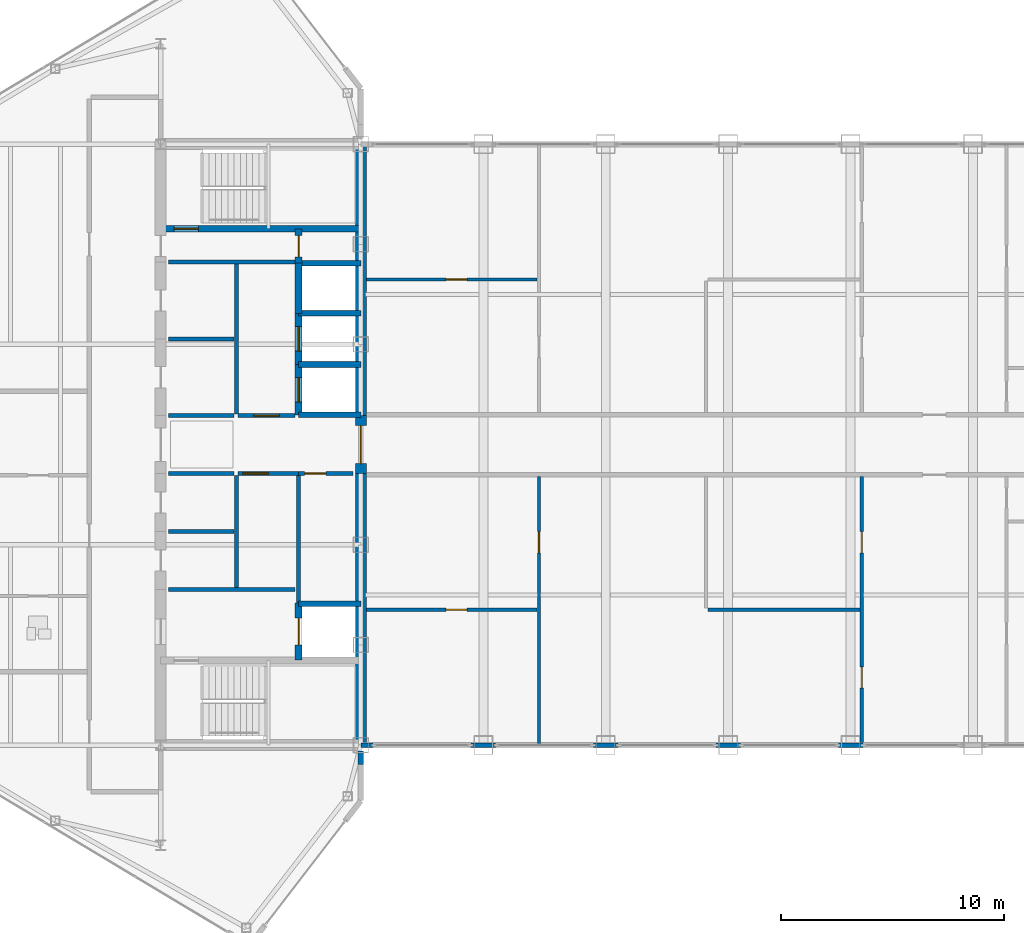
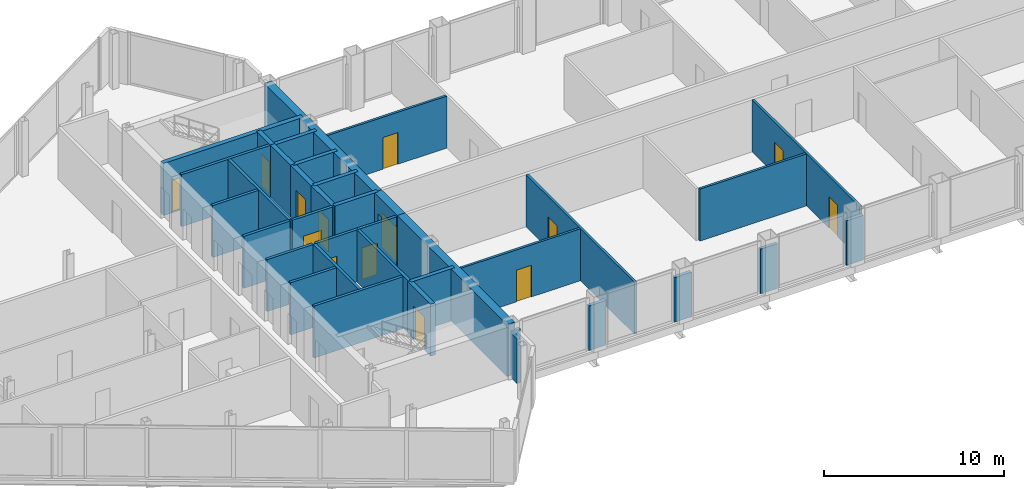
# One storey, part 22 of 29: 37 walls, 14 doors, 14 openings.
"""IFC4 building model written with IfcOpenShell, lengths in metres."""

import ifcopenshell
import ifcopenshell.guid

model = None  # the IFC model being written
_history = None  # IfcOwnerHistory: only IFC2X3 demands one
_inside = {}  # id of a spatial element -> (the spatial element, [elements in it])
_under = {}  # id of a project, library or spatial element -> (it, [spatial elements below it])
_declared = {}  # id of a project -> (the project, [libraries it declares])
_typed = {}  # id of a type object -> (the type object, [elements of that type])
_made_of = {}  # id of a material, layer set ... -> (it, [elements and type objects made of it])


def new_model(schema):
    """Start an empty IFC model of exactly this schema.

    Asked for "IFC4X3", IfcOpenShell would pick the latest addendum, in which some entities
    have other attributes; the version numbers below select the first issue.
    IFC2X3 requires an IfcOwnerHistory on every rooted entity: one is made here for all.
    """
    global model, _history
    if schema == "IFC4X3":
        model = ifcopenshell.file(schema_version=(4, 3, 0, 0))
    else:
        model = ifcopenshell.file(schema=schema)
    _inside.clear()
    _under.clear()
    _declared.clear()
    _typed.clear()
    _made_of.clear()
    _history = None
    if model.schema == "IFC2X3":
        org = make("IfcOrganization", Name="unknown")
        user = make(
            "IfcPersonAndOrganization",
            ThePerson=make("IfcPerson", FamilyName="unknown"),
            TheOrganization=org,
        )
        app = make(
            "IfcApplication",
            ApplicationDeveloper=org,
            Version="unknown",
            ApplicationFullName="unknown",
            ApplicationIdentifier="unknown",
        )
        _history = make(
            "IfcOwnerHistory",
            OwningUser=user,
            OwningApplication=app,
            ChangeAction="ADDED",
            CreationDate=0,
        )
    return model


def make(cls, **values):
    """One entity of the class cls with the attributes given. An attribute that is None is left unset."""
    return model.create_entity(
        cls, **{name: value for name, value in values.items() if value is not None}
    )


def rooted(cls, **values):
    """An entity with a GlobalId (a new one), such as an element, a storey or a relation."""
    return make(cls, GlobalId=ifcopenshell.guid.new(), OwnerHistory=_history, **values)


def si_unit(unit_type, name, prefix=None):
    """IfcSIUnit, for example si_unit("LENGTHUNIT", "METRE", prefix="MILLI")."""
    return make("IfcSIUnit", UnitType=unit_type, Prefix=prefix, Name=name)


def assignment(units):
    """IfcUnitAssignment: the units of a project."""
    return None if units is None else make("IfcUnitAssignment", Units=units)


def point(xyz):
    """IfcCartesianPoint."""
    return None if xyz is None else make("IfcCartesianPoint", Coordinates=xyz)


def direction(xyz):
    """IfcDirection."""
    return None if xyz is None else make("IfcDirection", DirectionRatios=xyz)


def frame(location, z_axis=None, x_axis=None):
    """IfcAxis2Placement3D, a coordinate frame: its origin and axes. An axis left out is left unset."""
    return make(
        "IfcAxis2Placement3D",
        Location=point(location),
        Axis=direction(z_axis),
        RefDirection=direction(x_axis),
    )


def frame_2d(location, x_axis=None):
    """IfcAxis2Placement2D, a coordinate frame in the plane: its origin and x axis."""
    return make(
        "IfcAxis2Placement2D", Location=point(location), RefDirection=direction(x_axis)
    )


def origin():
    """The frame at (0, 0, 0) with its axes left unset."""
    return frame((0.0, 0.0, 0.0))


def place(relative_to, where):
    """IfcLocalPlacement: puts the frame where relative to a parent placement (None: the world)."""
    return make(
        "IfcLocalPlacement", PlacementRelTo=relative_to, RelativePlacement=where
    )


def context(
    kind, dimensions, precision=None, world=None, true_north=None, identifier=None
):
    """IfcGeometricRepresentationContext, for example the 3D "Model" context."""
    return make(
        "IfcGeometricRepresentationContext",
        ContextIdentifier=identifier,
        ContextType=kind,
        CoordinateSpaceDimension=dimensions,
        Precision=precision,
        WorldCoordinateSystem=world,
        TrueNorth=true_north,
    )


def subcontext(parent, identifier, kind, view, scale=None):
    """IfcGeometricRepresentationSubContext, for example "Body" below "Model"."""
    return make(
        "IfcGeometricRepresentationSubContext",
        ContextIdentifier=identifier,
        ContextType=kind,
        ParentContext=parent,
        TargetScale=scale,
        TargetView=view,
    )


def project(units=None, contexts=None):
    """IfcProject with its units and contexts."""
    return rooted(
        "IfcProject",
        Name="project",
        RepresentationContexts=contexts,
        UnitsInContext=assignment(units),
    )


def spatial(cls, under=None, at=None, **own):
    """A site, building, storey or space (cls), placed at a placement, below another one or the project."""
    s = rooted(cls, ObjectPlacement=at, **own)
    if under is not None:
        _under.setdefault(under.id(), (under, []))[1].append(s)
    return s


def profile(cls, at=None, kind="AREA", **sizes):
    """A parametric profile (cls). Its sizes go by their IFC names, for example OverallWidth=200.0."""
    return make(cls, ProfileType=kind, Position=at, **sizes)


def rectangle(**sizes):
    """IfcRectangleProfileDef."""
    return profile("IfcRectangleProfileDef", **sizes)


def extrude(swept, where, along, depth):
    """IfcExtrudedAreaSolid: the profile swept, set in the frame where, extruded along a direction by depth."""
    return make(
        "IfcExtrudedAreaSolid",
        SweptArea=swept,
        Position=where,
        ExtrudedDirection=direction(along),
        Depth=depth,
    )


def shape(context_of_items, identifier, shape_type, items):
    """IfcShapeRepresentation: the items that make up one representation, for example the "Body"."""
    return make(
        "IfcShapeRepresentation",
        ContextOfItems=context_of_items,
        RepresentationIdentifier=identifier,
        RepresentationType=shape_type,
        Items=items,
    )


def source(mapping_origin, context_of_items, identifier, shape_type, items):
    """IfcRepresentationMap: a shape defined once, which mapped items show again and again."""
    return make(
        "IfcRepresentationMap",
        MappingOrigin=mapping_origin,
        MappedRepresentation=shape(context_of_items, identifier, shape_type, items),
    )


def transform(
    local_origin,
    x_axis=None,
    y_axis=None,
    z_axis=None,
    scale=None,
    scale2=None,
    scale3=None,
    uniform=True,
):
    """IfcCartesianTransformationOperator3D, or its non-uniform kind. x_axis, y_axis, z_axis: its Axis1, 2, 3."""
    if uniform:
        return make(
            "IfcCartesianTransformationOperator3D",
            Axis1=direction(x_axis),
            Axis2=direction(y_axis),
            LocalOrigin=point(local_origin),
            Scale=scale,
            Axis3=direction(z_axis),
        )
    return make(
        "IfcCartesianTransformationOperator3DnonUniform",
        Axis1=direction(x_axis),
        Axis2=direction(y_axis),
        LocalOrigin=point(local_origin),
        Scale=scale,
        Axis3=direction(z_axis),
        Scale2=scale2,
        Scale3=scale3,
    )


def mapped(mapping_source, mapping_target):
    """IfcMappedItem: shows the shape of a source again, moved by a transform."""
    return make(
        "IfcMappedItem", MappingSource=mapping_source, MappingTarget=mapping_target
    )


def material(Name=None, Category=None):
    """IfcMaterial."""
    return make("IfcMaterial", Name=Name, Category=Category)


def layer(
    of_material, thickness, ventilated=None, Name=None, Category=None, Priority=None
):
    """IfcMaterialLayer: one layer of a wall or slab, of a material (None: an air gap)."""
    return make(
        "IfcMaterialLayer",
        Material=of_material,
        LayerThickness=thickness,
        IsVentilated=ventilated,
        Name=Name,
        Category=Category,
        Priority=Priority,
    )


def layer_set(layers, Name=None):
    """IfcMaterialLayerSet."""
    return make("IfcMaterialLayerSet", MaterialLayers=layers, LayerSetName=Name)


def made_of(thing, what):
    """Note that an element or type object is made of a material, layer set ...; save() writes the relation."""
    if what is not None:
        _made_of.setdefault(what.id(), (what, []))[1].append(thing)
    return thing


def type_object(cls, material=None, **own):
    """A type object (cls), such as IfcWallType, which elements share."""
    return made_of(rooted(cls, **own), material)


def type_shapes(of_type, sources):
    """Give a type object the sources (RepresentationMaps) that its elements show as mapped items."""
    of_type.RepresentationMaps = sources


def element(
    cls,
    number,
    at=None,
    inside=None,
    cuts=None,
    type_object=None,
    material=None,
    context=None,
    identifier="Body",
    shape_type=None,
    held_by="IfcProductDefinitionShape",
    body=None,
    shapes=None,
    **own,
):
    """One element of the class cls, such as IfcWall. Its Tag is "e" and its number.

    at: its placement. inside: the storey or other place that contains it. cuts: it is an
    opening in that element (IfcRelVoidsElement). A single representation is given by context,
    identifier, shape_type and body (its items); several are given by shapes. held_by: the class
    of the entity that holds the representations. save() writes the other relations.
    """
    e = rooted(cls, Tag="e%d" % number, ObjectPlacement=at, **own)
    if body is not None:
        shapes = [shape(context, identifier, shape_type, body)]
    if shapes is not None:
        e.Representation = make(held_by, Representations=shapes)
    if inside is not None:
        _inside.setdefault(inside.id(), (inside, []))[1].append(e)
    if cuts is not None:
        rooted(
            "IfcRelVoidsElement", RelatingBuildingElement=cuts, RelatedOpeningElement=e
        )
    if type_object is not None:
        _typed.setdefault(type_object.id(), (type_object, []))[1].append(e)
    return made_of(e, material)


def fill(opening, filler):
    """IfcRelFillsElement: the door or window that sits in an opening."""
    return rooted(
        "IfcRelFillsElement",
        RelatingOpeningElement=opening,
        RelatedBuildingElement=filler,
    )


def aggregate(whole, parts):
    """IfcRelAggregates: a whole, such as a stair, and the parts it consists of."""
    return rooted("IfcRelAggregates", RelatingObject=whole, RelatedObjects=parts)


def save(model, path):
    """Write the relations noted so far, then the file.

    IfcRelAggregates (storeys below a building ...), IfcRelContainedInSpatialStructure (elements
    in a storey), IfcRelDefinesByType, IfcRelAssociatesMaterial and IfcRelDeclares: one each for
    every whole, place, type object, material and project.
    """
    for whole, parts in _under.values():
        aggregate(whole, parts)
    for where, things in _inside.values():
        rooted(
            "IfcRelContainedInSpatialStructure",
            RelatedElements=things,
            RelatingStructure=where,
        )
    for kind, things in _typed.values():
        rooted("IfcRelDefinesByType", RelatedObjects=things, RelatingType=kind)
    for what, things in _made_of.values():
        rooted("IfcRelAssociatesMaterial", RelatedObjects=things, RelatingMaterial=what)
    for by, libraries in _declared.values():
        rooted("IfcRelDeclares", RelatingContext=by, RelatedDefinitions=libraries)
    model.write(path)


model = new_model("IFC4")

# Units and contexts
model_context = context("Model", 3, precision=1e-05, world=origin(), true_north=direction((0.0, 1.0)))
body_context = subcontext(model_context, "Body", "Model", "MODEL_VIEW")
ifc_project = project(units=[si_unit("LENGTHUNIT", "METRE"), si_unit("AREAUNIT", "SQUARE_METRE"), si_unit("VOLUMEUNIT", "CUBIC_METRE"), si_unit("PLANEANGLEUNIT", "RADIAN"), si_unit("MASSUNIT", "GRAM", prefix="KILO")], contexts=[model_context])

# Site, building, storey
site_placement = place(None, origin())
site = spatial("IfcSite", under=ifc_project, at=site_placement, CompositionType="ELEMENT")
building_placement = place(site_placement, origin())
building = spatial("IfcBuilding", under=site, at=building_placement, Name="Seokmaru Belvedere", CompositionType="ELEMENT")
storey_placement = place(building_placement, frame((0.0, 0.0, 254.39990234375)))
storey = spatial("IfcBuildingStorey", under=building, at=storey_placement, Name="L67", CompositionType="ELEMENT", Elevation=254.39990234375)

# Wall, opening, door
ifc_material_1 = material(Name="Fire-Rated Gypsum Shaftwall")
ifc_layer_1 = layer(ifc_material_1, 0.14990234375)
ifc_layer_set_1 = layer_set([ifc_layer_1], Name="Fire-Rated Gypsum Shaftwall")
wall_type_1 = type_object("IfcWallType", Name="Apartment Fire-Acoustic Room Partition 150", PredefinedType="PARTITIONING", material=ifc_layer_set_1)
wall_1_placement = place(storey_placement, frame((-27.2451171875, -7.419921875, 0.0), z_axis=(0.0, 0.0, 1.0), x_axis=(1.0, 0.0, 0.0)))
wall_1 = element("IfcWall", 1, at=wall_1_placement, inside=storey, type_object=wall_type_1, Name="L67 Interior Partition 005", PredefinedType="PARTITIONING", context=body_context, shape_type="SweptSolid", body=[
    extrude(rectangle(XDim=7.66015625, YDim=0.14990234375, at=frame_2d((3.830078125, 0.0))), origin(), (0.0, 0.0, 1.0), 3.530029296875),
])
opening_1_placement = place(wall_1_placement, frame((3.570068359375, 0.0, 0.0)))
opening_1 = element("IfcOpeningElement", 2, at=opening_1_placement, cuts=wall_1, Name="Opening D05", PredefinedType="OPENING", context=body_context, shape_type="SweptSolid", body=[
    extrude(rectangle(XDim=0.949951171875, YDim=2.14990234375, at=frame_2d((0.47509765625, 1.074951171875))), frame((0.0, 0.0849609375, 0.0), z_axis=(0.0, -1.0, 0.0), x_axis=(1.0, 0.0, 0.0)), (0.0, 0.0, 1.0), 0.169921875),
])
ifc_material_2 = material(Name="Engineered White Oak Timber", Category="wood")
door_type_1 = type_object("IfcDoorType", Name="Apartment Interior Fire-Rated Oak Door 950x2150", OperationType="NOTDEFINED", PredefinedType="DOOR", material=ifc_material_2)
shared_shape_1 = source(origin(), body_context, "Body", "SweptSolid", [
    extrude(rectangle(XDim=0.949951171875, YDim=2.14990234375, at=frame_2d((0.47509765625, 1.074951171875))), frame((0.0, 0.02490234375, 0.0), z_axis=(0.0, -1.0, 0.0), x_axis=(1.0, 0.0, 0.0)), (0.0, 0.0, 1.0), 0.050048828125),
])
type_shapes(door_type_1, [shared_shape_1])
door_1_placement = place(opening_1_placement, origin())
door_1 = element("IfcDoor", 3, at=door_1_placement, inside=storey, type_object=door_type_1, Name="L67 Interior Door 032", OperationType="SINGLE_SWING_RIGHT", OverallHeight=2.14990234375, OverallWidth=0.949951171875, PredefinedType="DOOR", context=body_context, shape_type="MappedRepresentation", body=[
    mapped(shared_shape_1, transform((0.0, 0.0, 0.0), scale=1.0)),
])
fill(opening_1, door_1)

# Wall
wall_2_placement = place(storey_placement, frame((-11.9150390625, -7.419921875, 0.0), z_axis=(0.0, 0.0, 1.0), x_axis=(1.0, 0.0, 0.0)))
element("IfcWall", 4, at=wall_2_placement, inside=storey, type_object=wall_type_1, Name="L67 Interior Partition 006", PredefinedType="PARTITIONING", context=body_context, shape_type="SweptSolid", body=[
    extrude(rectangle(XDim=6.830078125, YDim=0.14990234375, at=frame_2d((3.4150390625, 0.0))), origin(), (0.0, 0.0, 1.0), 3.530029296875),
])

# Wall, opening, door
wall_3_placement = place(storey_placement, frame((-27.2451171875, 7.419921875, 0.0), z_axis=(0.0, 0.0, 1.0), x_axis=(1.0, 0.0, 0.0)))
wall_3 = element("IfcWall", 5, at=wall_3_placement, inside=storey, type_object=wall_type_1, Name="L67 Interior Partition 022", PredefinedType="PARTITIONING", context=body_context, shape_type="SweptSolid", body=[
    extrude(rectangle(XDim=7.66015625, YDim=0.14990234375, at=frame_2d((3.830078125, 0.0))), origin(), (0.0, 0.0, 1.0), 3.530029296875),
])
opening_2_placement = place(wall_3_placement, frame((3.570068359375, 0.0, 0.0)))
opening_2 = element("IfcOpeningElement", 6, at=opening_2_placement, cuts=wall_3, Name="Opening D05", PredefinedType="OPENING", context=body_context, shape_type="SweptSolid", body=[
    extrude(rectangle(XDim=0.949951171875, YDim=2.14990234375, at=frame_2d((0.47509765625, 1.074951171875))), frame((0.0, 0.0849609375, 0.0), z_axis=(0.0, -1.0, 0.0), x_axis=(1.0, 0.0, 0.0)), (0.0, 0.0, 1.0), 0.169921875),
])
door_2_placement = place(opening_2_placement, origin())
door_2 = element("IfcDoor", 7, at=door_2_placement, inside=storey, type_object=door_type_1, Name="L67 Interior Door 043", OperationType="SINGLE_SWING_RIGHT", OverallHeight=2.14990234375, OverallWidth=0.949951171875, PredefinedType="DOOR", context=body_context, shape_type="MappedRepresentation", body=[
    mapped(shared_shape_1, transform((0.0, 0.0, 0.0), scale=1.0)),
])
fill(opening_2, door_2)

wall_4_placement = place(storey_placement, frame((-19.5, -13.5, 0.0), z_axis=(0.0, 0.0, 1.0), x_axis=(0.0, 1.0, 0.0)))
wall_4 = element("IfcWall", 8, at=wall_4_placement, inside=storey, type_object=wall_type_1, Name="L67 Interior Partition 034", PredefinedType="PARTITIONING", context=body_context, shape_type="SweptSolid", body=[
    extrude(rectangle(XDim=12.06494140625, YDim=0.14990234375, at=frame_2d((6.032470703125, 0.0))), origin(), (0.0, 0.0, 1.0), 3.530029296875),
])
opening_3_placement = place(wall_4_placement, frame((8.637451171875, 0.0, 0.0)))
opening_3 = element("IfcOpeningElement", 9, at=opening_3_placement, cuts=wall_4, Name="Opening D05", PredefinedType="OPENING", context=body_context, shape_type="SweptSolid", body=[
    extrude(rectangle(XDim=0.949951171875, YDim=2.14990234375, at=frame_2d((0.47509765625, 1.074951171875))), frame((0.0, 0.0849609375, 0.0), z_axis=(0.0, -1.0, 0.0), x_axis=(1.0, 0.0, 0.0)), (0.0, 0.0, 1.0), 0.169921875),
])
door_3_placement = place(opening_3_placement, origin())
door_3 = element("IfcDoor", 10, at=door_3_placement, inside=storey, type_object=door_type_1, Name="L67 Interior Door 031", OperationType="SINGLE_SWING_LEFT", OverallHeight=2.14990234375, OverallWidth=0.949951171875, PredefinedType="DOOR", context=body_context, shape_type="MappedRepresentation", body=[
    mapped(shared_shape_1, transform((0.0, 0.0, 0.0), scale=1.0)),
])
fill(opening_3, door_3)

# Wall, openings, doors
wall_5_placement = place(storey_placement, frame((-5.0, -13.389892578125, 0.0), z_axis=(0.0, 0.0, 1.0), x_axis=(0.0, 1.0, 0.0)))
wall_5 = element("IfcWall", 11, at=wall_5_placement, inside=storey, type_object=wall_type_1, Name="L67 Interior Partition 038", PredefinedType="PARTITIONING", context=body_context, shape_type="SweptSolid", body=[
    extrude(rectangle(XDim=11.954833984375, YDim=0.14990234375, at=frame_2d((5.9775390625, 0.0))), origin(), (0.0, 0.0, 1.0), 3.530029296875),
])
opening_4_placement = place(wall_5_placement, frame((8.527587890625, 0.0, 0.0)))
opening_4 = element("IfcOpeningElement", 12, at=opening_4_placement, cuts=wall_5, Name="Opening D05", PredefinedType="OPENING", context=body_context, shape_type="SweptSolid", body=[
    extrude(rectangle(XDim=0.949951171875, YDim=2.14990234375, at=frame_2d((0.47509765625, 1.074951171875))), frame((0.0, 0.0849609375, 0.0), z_axis=(0.0, -1.0, 0.0), x_axis=(1.0, 0.0, 0.0)), (0.0, 0.0, 1.0), 0.169921875),
])
opening_5_placement = place(wall_5_placement, frame((2.452392578125, 0.0, 0.0)))
opening_5 = element("IfcOpeningElement", 13, at=opening_5_placement, cuts=wall_5, Name="Opening D05", PredefinedType="OPENING", context=body_context, shape_type="SweptSolid", body=[
    extrude(rectangle(XDim=0.949951171875, YDim=2.14990234375, at=frame_2d((0.47509765625, 1.074951171875))), frame((0.0, 0.0849609375, 0.0), z_axis=(0.0, -1.0, 0.0), x_axis=(1.0, 0.0, 0.0)), (0.0, 0.0, 1.0), 0.169921875),
])
door_4_placement = place(opening_4_placement, origin())
door_4 = element("IfcDoor", 14, at=door_4_placement, inside=storey, type_object=door_type_1, Name="L67 Interior Door 029", OperationType="SINGLE_SWING_LEFT", OverallHeight=2.14990234375, OverallWidth=0.949951171875, PredefinedType="DOOR", context=body_context, shape_type="MappedRepresentation", body=[
    mapped(shared_shape_1, transform((0.0, 0.0, 0.0), scale=1.0)),
])
fill(opening_4, door_4)
door_5_placement = place(opening_5_placement, origin())
door_5 = element("IfcDoor", 15, at=door_5_placement, inside=storey, type_object=door_type_1, Name="L67 Interior Door 030", OperationType="SINGLE_SWING_RIGHT", OverallHeight=2.14990234375, OverallWidth=0.949951171875, PredefinedType="DOOR", context=body_context, shape_type="MappedRepresentation", body=[
    mapped(shared_shape_1, transform((0.0, 0.0, 0.0), scale=1.0)),
])
fill(opening_5, door_5)

# Walls
ifc_material_3 = material(Name="Anodised Bronze Aluminium", Category="aluminium")
ifc_layer_2 = layer(ifc_material_3, 0.2099609375)
ifc_layer_set_2 = layer_set([ifc_layer_2], Name="Anodised Bronze Aluminium")
wall_type_2 = type_object("IfcWallType", Name="Bridge Column Spandrel Closure Pier 210", PredefinedType="SOLIDWALL", material=ifc_layer_set_2)
wall_6_placement = place(storey_placement, frame((-27.489990234375, -13.5, 0.0), z_axis=(0.0, 0.0, 1.0), x_axis=(1.0, 0.0, 0.0)))
element("IfcWall", 16, at=wall_6_placement, inside=storey, type_object=wall_type_2, Name="L67 Bridge South Column Closure Pier 01", PredefinedType="SOLIDWALL", context=body_context, shape_type="SweptSolid", body=[
    extrude(rectangle(XDim=0.5400390625, YDim=0.2099609375, at=frame_2d((0.27001953125, 0.0))), origin(), (0.0, 0.0, 1.0), 3.030029296875),
])
for number, where, z_axis, x_axis, name in (
    (17, (-22.550048828125, -13.5, 0.0), (0.0, 0.0, 1.0), (1.0, 0.0, 0.0), "L67 Bridge South Column Closure Pier 02"),
    (18, (-17.050048828125, -13.5, 0.0), (0.0, 0.0, 1.0), (1.0, 0.0, 0.0), "L67 Bridge South Column Closure Pier 03"),
    (19, (-11.550048828125, -13.5, 0.0), (0.0, 0.0, 1.0), (1.0, 0.0, 0.0), "L67 Bridge South Column Closure Pier 04"),
    (20, (-6.050048828125, -13.5, 0.0), (0.0, 0.0, 1.0), (1.0, 0.0, 0.0), "L67 Bridge South Column Closure Pier 05"),
):
    element("IfcWall", number, at=place(storey_placement, frame(where, z_axis=z_axis, x_axis=x_axis)), inside=storey, type_object=wall_type_2, Name=name, PredefinedType="SOLIDWALL", context=body_context, shape_type="SweptSolid", body=[
        extrude(rectangle(XDim=1.10009765625, YDim=0.2099609375, at=frame_2d((0.550048828125, 0.0))), origin(), (0.0, 0.0, 1.0), 3.030029296875),
    ])
ifc_layer_3 = layer(ifc_material_1, 0.179931640625)
ifc_layer_set_3 = layer_set([ifc_layer_3], Name="Fire-Rated Gypsum Shaftwall")
wall_type_3 = type_object("IfcWallType", Name="Core Service Fire Partition 180", PredefinedType="PARTITIONING", material=ifc_layer_set_3)
for number, where, z_axis, x_axis, name in (
    (21, (-36.14990234375, -6.5, 0.0), (0.0, 0.0, 1.0), (1.0, 0.0, 0.0), "L67 West Firefighting Lobby Partition"),
    (22, (-36.14990234375, 8.199951171875, 0.0), (0.0, 0.0, 1.0), (1.0, 0.0, 0.0), "L67 West Smokeproof Vestibule Partition"),
):
    element("IfcWall", number, at=place(storey_placement, frame(where, z_axis=z_axis, x_axis=x_axis)), inside=storey, type_object=wall_type_3, Name=name, PredefinedType="PARTITIONING", context=body_context, shape_type="SweptSolid", body=[
        extrude(rectangle(XDim=5.699951171875, YDim=0.179931640625, at=frame_2d((2.85009765625, 0.0))), origin(), (0.0, 0.0, 1.0), 3.530029296875),
    ])
wall_7_placement = place(storey_placement, frame((-33.10009765625, -6.419921875, 0.0), z_axis=(0.0, 0.0, 1.0), x_axis=(0.0, 1.0, 0.0)))
element("IfcWall", 23, at=wall_7_placement, inside=storey, type_object=wall_type_3, Name="L67 West South Core Service Back Wall", PredefinedType="PARTITIONING", context=body_context, shape_type="SweptSolid", body=[
    extrude(rectangle(XDim=5.0400390625, YDim=0.179931640625, at=frame_2d((2.52001953125, 0.0))), origin(), (0.0, 0.0, 1.0), 3.530029296875),
])
wall_8_placement = place(storey_placement, frame((-33.10009765625, 1.3798828125, 0.0), z_axis=(0.0, 0.0, 1.0), x_axis=(0.0, 1.0, 0.0)))
element("IfcWall", 24, at=wall_8_placement, inside=storey, type_object=wall_type_3, Name="L67 West North Core Service Back Wall", PredefinedType="PARTITIONING", context=body_context, shape_type="SweptSolid", body=[
    extrude(rectangle(XDim=6.740234375, YDim=0.179931640625, at=frame_2d((3.3701171875, 0.0))), origin(), (0.0, 0.0, 1.0), 3.530029296875),
])

# Wall, opening, door
wall_9_placement = place(storey_placement, frame((-30.300048828125, -1.300048828125, 0.0), z_axis=(0.0, 0.0, 1.0), x_axis=(1.0, 0.0, 0.0)))
wall_9 = element("IfcWall", 25, at=wall_9_placement, inside=storey, type_object=wall_type_3, Name="L67 West South Parcel Vault Foyer Wall", PredefinedType="PARTITIONING", context=body_context, shape_type="SweptSolid", body=[
    extrude(rectangle(XDim=2.449951171875, YDim=0.179931640625, at=frame_2d((1.22509765625, 0.0))), origin(), (0.0, 0.0, 1.0), 3.530029296875),
])
opening_6_placement = place(wall_9_placement, frame((0.27490234375, 0.0, 0.0)))
opening_6 = element("IfcOpeningElement", 26, at=opening_6_placement, cuts=wall_9, Name="Opening D04", PredefinedType="OPENING", context=body_context, shape_type="SweptSolid", body=[
    extrude(rectangle(XDim=0.949951171875, YDim=2.14990234375, at=frame_2d((0.47509765625, 1.074951171875))), frame((0.0, 0.10009765625, 0.0), z_axis=(0.0, -1.0, 0.0), x_axis=(1.0, 0.0, 0.0)), (0.0, 0.0, 1.0), 0.199951171875),
])
ifc_material_4 = material(Name="Fire-Rated Steel Leaf", Category="steel")
door_type_2 = type_object("IfcDoorType", Name="Core Service Room Fire Door 950x2150", OperationType="NOTDEFINED", PredefinedType="DOOR", material=ifc_material_4)
shared_shape_2 = source(origin(), body_context, "Body", "SweptSolid", [
    extrude(rectangle(XDim=0.949951171875, YDim=2.14990234375, at=frame_2d((0.47509765625, 1.074951171875))), frame((0.0, 0.02490234375, 0.0), z_axis=(0.0, -1.0, 0.0), x_axis=(1.0, 0.0, 0.0)), (0.0, 0.0, 1.0), 0.050048828125),
])
type_shapes(door_type_2, [shared_shape_2])
door_6_placement = place(opening_6_placement, origin())
door_6 = element("IfcDoor", 27, at=door_6_placement, inside=storey, type_object=door_type_2, Name="L67 West South Parcel Vault Door", OperationType="SINGLE_SWING_LEFT", OverallHeight=2.14990234375, OverallWidth=0.949951171875, PredefinedType="DOOR", context=body_context, shape_type="MappedRepresentation", body=[
    mapped(shared_shape_2, transform((0.0, 0.0, 0.0), scale=1.0)),
])
fill(opening_6, door_6)

wall_10_placement = place(storey_placement, frame((-33.02001953125, -1.300048828125, 0.0), z_axis=(0.0, 0.0, 1.0), x_axis=(1.0, 0.0, 0.0)))
wall_10 = element("IfcWall", 28, at=wall_10_placement, inside=storey, type_object=wall_type_3, Name="L67 West South Wine Cellar Foyer Wall", PredefinedType="PARTITIONING", context=body_context, shape_type="SweptSolid", body=[
    extrude(rectangle(XDim=2.719970703125, YDim=0.179931640625, at=frame_2d((1.35986328125, 0.0))), origin(), (0.0, 0.0, 1.0), 3.530029296875),
])
opening_7_placement = place(wall_10_placement, frame((0.2099609375, 0.0, 0.0)))
opening_7 = element("IfcOpeningElement", 29, at=opening_7_placement, cuts=wall_10, Name="Opening D02", PredefinedType="OPENING", context=body_context, shape_type="SweptSolid", body=[
    extrude(rectangle(XDim=1.14990234375, YDim=2.199951171875, at=frame_2d((0.574951171875, 1.10009765625))), frame((0.0, 0.10009765625, 0.0), z_axis=(0.0, -1.0, 0.0), x_axis=(1.0, 0.0, 0.0)), (0.0, 0.0, 1.0), 0.199951171875),
])
door_type_3 = type_object("IfcDoorType", Name="Lobby and Vestibule Fire Door 1150x2200", OperationType="NOTDEFINED", PredefinedType="DOOR", material=ifc_material_4)
shared_shape_3 = source(origin(), body_context, "Body", "SweptSolid", [
    extrude(rectangle(XDim=1.14990234375, YDim=2.199951171875, at=frame_2d((0.574951171875, 1.10009765625))), frame((0.0, 0.02490234375, 0.0), z_axis=(0.0, -1.0, 0.0), x_axis=(1.0, 0.0, 0.0)), (0.0, 0.0, 1.0), 0.050048828125),
])
type_shapes(door_type_3, [shared_shape_3])
door_7_placement = place(opening_7_placement, origin())
door_7 = element("IfcDoor", 30, at=door_7_placement, inside=storey, type_object=door_type_3, Name="L67 West South Core Foyer Door", OperationType="SINGLE_SWING_LEFT", OverallHeight=2.199951171875, OverallWidth=1.14990234375, PredefinedType="DOOR", context=body_context, shape_type="MappedRepresentation", body=[
    mapped(shared_shape_3, transform((0.0, 0.0, 0.0), scale=1.0)),
])
fill(opening_7, door_7)

# Wall
wall_11_placement = place(storey_placement, frame((-30.300048828125, -7.1201171875, 0.0), z_axis=(0.0, 0.0, 1.0), x_axis=(0.0, 1.0, 0.0)))
element("IfcWall", 31, at=wall_11_placement, inside=storey, type_object=wall_type_3, Name="L67 West Freed Shaft Vault Partition", PredefinedType="PARTITIONING", context=body_context, shape_type="SweptSolid", body=[
    extrude(rectangle(XDim=5.740234375, YDim=0.179931640625, at=frame_2d((2.8701171875, 0.0))), origin(), (0.0, 0.0, 1.0), 3.530029296875),
])

# Wall, opening, door
wall_12_placement = place(storey_placement, frame((-33.02001953125, 1.300048828125, 0.0), z_axis=(0.0, 0.0, 1.0), x_axis=(1.0, 0.0, 0.0)))
wall_12 = element("IfcWall", 32, at=wall_12_placement, inside=storey, type_object=wall_type_3, Name="L67 West North Lift Lobby Foyer Wall", PredefinedType="PARTITIONING", context=body_context, shape_type="SweptSolid", body=[
    extrude(rectangle(XDim=2.570068359375, YDim=0.179931640625, at=frame_2d((1.28515625, 0.0))), origin(), (0.0, 0.0, 1.0), 3.530029296875),
])
opening_8_placement = place(wall_12_placement, frame((0.7099609375, 0.0, 0.0)))
opening_8 = element("IfcOpeningElement", 33, at=opening_8_placement, cuts=wall_12, Name="Opening D02", PredefinedType="OPENING", context=body_context, shape_type="SweptSolid", body=[
    extrude(rectangle(XDim=1.14990234375, YDim=2.199951171875, at=frame_2d((0.574951171875, 1.10009765625))), frame((0.0, 0.10009765625, 0.0), z_axis=(0.0, -1.0, 0.0), x_axis=(1.0, 0.0, 0.0)), (0.0, 0.0, 1.0), 0.199951171875),
])
door_8_placement = place(opening_8_placement, origin())
door_8 = element("IfcDoor", 34, at=door_8_placement, inside=storey, type_object=door_type_3, Name="L67 West North Lift Lobby Door", OperationType="SINGLE_SWING_RIGHT", OverallHeight=2.199951171875, OverallWidth=1.14990234375, PredefinedType="DOOR", context=body_context, shape_type="MappedRepresentation", body=[
    mapped(shared_shape_3, transform((0.0, 0.0, 0.0), scale=1.0)),
])
fill(opening_8, door_8)

# Walls
for number, where, z_axis, x_axis, name in (
    (35, (-36.14990234375, -1.300048828125, 0.0), (0.0, 0.0, 1.0), (1.0, 0.0, 0.0), "L67 West Foyer Side Wall S"),
    (36, (-36.14990234375, 1.300048828125, 0.0), (0.0, 0.0, 1.0), (1.0, 0.0, 0.0), "L67 West Foyer Side Wall N"),
    (37, (-36.14990234375, -3.89990234375, 0.0), (0.0, 0.0, 1.0), (1.0, 0.0, 0.0), "L67 West Core Service Partition 1"),
    (38, (-36.14990234375, 4.75, 0.0), (0.0, 0.0, 1.0), (1.0, 0.0, 0.0), "L67 West Core Service Partition 2"),
):
    element("IfcWall", number, at=place(storey_placement, frame(where, z_axis=z_axis, x_axis=x_axis)), inside=storey, type_object=wall_type_3, Name=name, PredefinedType="PARTITIONING", context=body_context, shape_type="SweptSolid", body=[
        extrude(rectangle(XDim=2.949951171875, YDim=0.179931640625, at=frame_2d((1.47509765625, 0.0))), origin(), (0.0, 0.0, 1.0), 3.530029296875),
    ])
ifc_material_5 = material(Name="Concrete C50 (50 MPa)", Category="concrete")
ifc_layer_4 = layer(ifc_material_5, 0.25)
ifc_layer_set_4 = layer_set([ifc_layer_4], Name="Concrete C50 (50 MPa)")
wall_type_4 = type_object("IfcWallType", Name="Hoistway Transverse Concrete Divider Wall 250", PredefinedType="SHEAR", material=ifc_layer_set_4)
for number, where, z_axis, x_axis, name in (
    (39, (-30.300048828125, -7.14990234375, 0.0), (0.0, 0.0, 1.0), (1.0, 0.0, 0.0), "L67 West Hoistway Divider Core Wall 1"),
    (40, (-30.300048828125, 1.35009765625, 0.0), (0.0, 0.0, 1.0), (1.0, 0.0, 0.0), "L67 West Hoistway Divider Core Wall 2"),
    (41, (-30.300048828125, 3.60009765625, 0.0), (0.0, 0.0, 1.0), (1.0, 0.0, 0.0), "L67 West Hoistway Divider Core Wall 3"),
    (42, (-30.300048828125, 5.89990234375, 0.0), (0.0, 0.0, 1.0), (1.0, 0.0, 0.0), "L67 West Hoistway Divider Core Wall 4"),
    (43, (-30.300048828125, 8.14990234375, 0.0), (0.0, 0.0, 1.0), (1.0, 0.0, 0.0), "L67 West Hoistway Divider Core Wall 5"),
):
    element("IfcWall", number, at=place(storey_placement, frame(where, z_axis=z_axis, x_axis=x_axis)), inside=storey, type_object=wall_type_4, Name=name, PredefinedType="SHEAR", context=body_context, shape_type="SweptSolid", body=[
        extrude(rectangle(XDim=2.800048828125, YDim=0.25, at=frame_2d((1.39990234375, 0.0))), origin(), (0.0, 0.0, 1.0), 3.530029296875),
    ])

# Wall, opening, door
ifc_layer_5 = layer(ifc_material_5, 0.300048828125)
ifc_layer_set_5 = layer_set([ifc_layer_5], Name="Concrete C50 (50 MPa)")
wall_type_5 = type_object("IfcWallType", Name="Internal Core Stair and Hoistway Wall 300", PredefinedType="SHEAR", material=ifc_layer_set_5)
wall_13_placement = place(storey_placement, frame((-36.5, 9.699951171875, 0.0), z_axis=(0.0, 0.0, 1.0), x_axis=(1.0, 0.0, 0.0)))
wall_13 = element("IfcWall", 44, at=wall_13_placement, inside=storey, type_object=wall_type_5, Name="L67 West Stair ST-2 Enclosure Wall", PredefinedType="SHEAR", context=body_context, shape_type="SweptSolid", body=[
    extrude(rectangle(XDim=9.0, YDim=0.300048828125, at=frame_2d((4.5, 0.0))), origin(), (0.0, 0.0, 1.0), 3.530029296875),
])
opening_9_placement = place(wall_13_placement, frame((0.60009765625, 0.0, 0.0)))
opening_9 = element("IfcOpeningElement", 45, at=opening_9_placement, cuts=wall_13, Name="Opening D01", PredefinedType="OPENING", context=body_context, shape_type="SweptSolid", body=[
    extrude(rectangle(XDim=1.10009765625, YDim=2.199951171875, at=frame_2d((0.550048828125, 1.10009765625))), frame((0.0, 0.16015625, 0.0), z_axis=(0.0, -1.0, 0.0), x_axis=(1.0, 0.0, 0.0)), (0.0, 0.0, 1.0), 0.320068359375),
])
door_type_4 = type_object("IfcDoorType", Name="Special Escape Stair Smokeproof Fire Door 1100x2200", OperationType="NOTDEFINED", PredefinedType="DOOR", material=ifc_material_4)
shared_shape_4 = source(origin(), body_context, "Body", "SweptSolid", [
    extrude(rectangle(XDim=1.10009765625, YDim=2.199951171875, at=frame_2d((0.550048828125, 1.10009765625))), frame((0.0, 0.02490234375, 0.0), z_axis=(0.0, -1.0, 0.0), x_axis=(1.0, 0.0, 0.0)), (0.0, 0.0, 1.0), 0.050048828125),
])
type_shapes(door_type_4, [shared_shape_4])
door_9_placement = place(opening_9_placement, origin())
door_9 = element("IfcDoor", 46, at=door_9_placement, inside=storey, type_object=door_type_4, Name="L67 West Special Escape Stair ST-2 Door", OperationType="SINGLE_SWING_RIGHT", OverallHeight=2.199951171875, OverallWidth=1.10009765625, PredefinedType="DOOR", context=body_context, shape_type="MappedRepresentation", body=[
    mapped(shared_shape_4, transform((0.0, 0.0, 0.0), scale=1.0)),
])
fill(opening_9, door_9)

wall_14_placement = place(storey_placement, frame((-30.300048828125, -9.679931640625, 0.0), z_axis=(0.0, 0.0, 1.0), x_axis=(0.0, 1.0, 0.0)))
wall_14 = element("IfcWall", 47, at=wall_14_placement, inside=storey, type_object=wall_type_5, Name="L67 West Firefighting Lift Shaft Front Wall", PredefinedType="SHEAR", context=body_context, shape_type="SweptSolid", body=[
    extrude(rectangle(XDim=2.559814453125, YDim=0.300048828125, at=frame_2d((1.27978515625, 0.0))), origin(), (0.0, 0.0, 1.0), 3.530029296875),
])
opening_10_placement = place(wall_14_placement, frame((0.679931640625, 0.0, 0.0)))
opening_10 = element("IfcOpeningElement", 48, at=opening_10_placement, cuts=wall_14, Name="Opening LD2", PredefinedType="OPENING", context=body_context, shape_type="SweptSolid", body=[
    extrude(rectangle(XDim=1.199951171875, YDim=2.25, at=frame_2d((0.60009765625, 1.125))), frame((0.0, 0.16015625, 0.0), z_axis=(0.0, -1.0, 0.0), x_axis=(1.0, 0.0, 0.0)), (0.0, 0.0, 1.0), 0.320068359375),
])
ifc_material_6 = material(Name="Stainless Steel 316", Category="steel")
door_type_5 = type_object("IfcDoorType", Name="Firefighting Lift Sliding Landing Door 1200x2250", OperationType="DOUBLE_DOOR_SLIDING", PredefinedType="DOOR", material=ifc_material_6)
shared_shape_5 = source(origin(), body_context, "Body", "SweptSolid", [
    extrude(rectangle(XDim=1.199951171875, YDim=2.25, at=frame_2d((0.60009765625, 1.125))), frame((0.0, 0.02490234375, 0.0), z_axis=(0.0, -1.0, 0.0), x_axis=(1.0, 0.0, 0.0)), (0.0, 0.0, 1.0), 0.050048828125),
])
type_shapes(door_type_5, [shared_shape_5])
door_10_placement = place(opening_10_placement, origin())
door_10 = element("IfcDoor", 49, at=door_10_placement, inside=storey, type_object=door_type_5, Name="L67 West Firefighting Lift Landing Door", OperationType="DOUBLE_DOOR_SLIDING", OverallHeight=2.25, OverallWidth=1.199951171875, PredefinedType="DOOR", context=body_context, shape_type="MappedRepresentation", body=[
    mapped(shared_shape_5, transform((0.0, 0.0, 0.0), scale=1.0)),
])
fill(opening_10, door_10)

wall_15_placement = place(storey_placement, frame((-30.300048828125, 1.320068359375, 0.0), z_axis=(0.0, 0.0, 1.0), x_axis=(0.0, 1.0, 0.0)))
wall_15 = element("IfcWall", 50, at=wall_15_placement, inside=storey, type_object=wall_type_5, Name="L67 West North Hoistway Wall PH1", PredefinedType="SHEAR", context=body_context, shape_type="SweptSolid", body=[
    extrude(rectangle(XDim=2.280029296875, YDim=0.300048828125, at=frame_2d((1.14013671875, 0.0))), origin(), (0.0, 0.0, 1.0), 3.530029296875),
])
opening_11_placement = place(wall_15_placement, frame((0.590087890625, 0.0, 0.0)))
opening_11 = element("IfcOpeningElement", 51, at=opening_11_placement, cuts=wall_15, Name="Opening LD1", PredefinedType="OPENING", context=body_context, shape_type="SweptSolid", body=[
    extrude(rectangle(XDim=1.10009765625, YDim=2.199951171875, at=frame_2d((0.550048828125, 1.10009765625))), frame((0.0, 0.16015625, 0.0), z_axis=(0.0, -1.0, 0.0), x_axis=(1.0, 0.0, 0.0)), (0.0, 0.0, 1.0), 0.320068359375),
])
door_type_6 = type_object("IfcDoorType", Name="Passenger Lift Sliding Landing Door 1100x2200", OperationType="DOUBLE_DOOR_SLIDING", PredefinedType="DOOR", material=ifc_material_6)
shared_shape_6 = source(origin(), body_context, "Body", "SweptSolid", [
    extrude(rectangle(XDim=1.10009765625, YDim=2.199951171875, at=frame_2d((0.550048828125, 1.10009765625))), frame((0.0, 0.02490234375, 0.0), z_axis=(0.0, -1.0, 0.0), x_axis=(1.0, 0.0, 0.0)), (0.0, 0.0, 1.0), 0.050048828125),
])
type_shapes(door_type_6, [shared_shape_6])
door_11_placement = place(opening_11_placement, origin())
door_11 = element("IfcDoor", 52, at=door_11_placement, inside=storey, type_object=door_type_6, Name="L67 West High-Rise Lift PH-1 Landing Door", OperationType="DOUBLE_DOOR_SLIDING", OverallHeight=2.199951171875, OverallWidth=1.10009765625, PredefinedType="DOOR", context=body_context, shape_type="MappedRepresentation", body=[
    mapped(shared_shape_6, transform((0.0, 0.0, 0.0), scale=1.0)),
])
fill(opening_11, door_11)

wall_16_placement = place(storey_placement, frame((-30.300048828125, 3.60009765625, 0.0), z_axis=(0.0, 0.0, 1.0), x_axis=(0.0, 1.0, 0.0)))
wall_16 = element("IfcWall", 53, at=wall_16_placement, inside=storey, type_object=wall_type_5, Name="L67 West North Hoistway Wall PH2", PredefinedType="SHEAR", context=body_context, shape_type="SweptSolid", body=[
    extrude(rectangle(XDim=2.2998046875, YDim=0.300048828125, at=frame_2d((1.14990234375, 0.0))), origin(), (0.0, 0.0, 1.0), 3.530029296875),
])
opening_12_placement = place(wall_16_placement, frame((0.60009765625, 0.0, 0.0)))
opening_12 = element("IfcOpeningElement", 54, at=opening_12_placement, cuts=wall_16, Name="Opening LD1", PredefinedType="OPENING", context=body_context, shape_type="SweptSolid", body=[
    extrude(rectangle(XDim=1.10009765625, YDim=2.199951171875, at=frame_2d((0.550048828125, 1.10009765625))), frame((0.0, 0.16015625, 0.0), z_axis=(0.0, -1.0, 0.0), x_axis=(1.0, 0.0, 0.0)), (0.0, 0.0, 1.0), 0.320068359375),
])
door_12_placement = place(opening_12_placement, origin())
door_12 = element("IfcDoor", 55, at=door_12_placement, inside=storey, type_object=door_type_6, Name="L67 West High-Rise Lift PH-2 Landing Door", OperationType="DOUBLE_DOOR_SLIDING", OverallHeight=2.199951171875, OverallWidth=1.10009765625, PredefinedType="DOOR", context=body_context, shape_type="MappedRepresentation", body=[
    mapped(shared_shape_6, transform((0.0, 0.0, 0.0), scale=1.0)),
])
fill(opening_12, door_12)

# Wall
wall_17_placement = place(storey_placement, frame((-30.300048828125, 5.89990234375, 0.0), z_axis=(0.0, 0.0, 1.0), x_axis=(0.0, 1.0, 0.0)))
element("IfcWall", 56, at=wall_17_placement, inside=storey, type_object=wall_type_5, Name="L67 West North Hoistway Wall OBS", PredefinedType="SHEAR", context=body_context, shape_type="SweptSolid", body=[
    extrude(rectangle(XDim=2.25, YDim=0.300048828125, at=frame_2d((1.125, 0.0))), origin(), (0.0, 0.0, 1.0), 3.530029296875),
])

# Wall, opening, door
wall_18_placement = place(storey_placement, frame((-30.300048828125, 8.14990234375, 0.0), z_axis=(0.0, 0.0, 1.0), x_axis=(0.0, 1.0, 0.0)))
wall_18 = element("IfcWall", 57, at=wall_18_placement, inside=storey, type_object=wall_type_5, Name="L67 West Electrical Riser Front Wall", PredefinedType="SHEAR", context=body_context, shape_type="SweptSolid", body=[
    extrude(rectangle(XDim=1.530029296875, YDim=0.300048828125, at=frame_2d((0.76513671875, 0.0))), origin(), (0.0, 0.0, 1.0), 3.530029296875),
])
opening_13_placement = place(wall_18_placement, frame((0.284912109375, 0.0, 0.0)))
opening_13 = element("IfcOpeningElement", 58, at=opening_13_placement, cuts=wall_18, Name="Opening D04", PredefinedType="OPENING", context=body_context, shape_type="SweptSolid", body=[
    extrude(rectangle(XDim=0.949951171875, YDim=2.14990234375, at=frame_2d((0.47509765625, 1.074951171875))), frame((0.0, 0.16015625, 0.0), z_axis=(0.0, -1.0, 0.0), x_axis=(1.0, 0.0, 0.0)), (0.0, 0.0, 1.0), 0.320068359375),
])
door_13_placement = place(opening_13_placement, origin())
door_13 = element("IfcDoor", 59, at=door_13_placement, inside=storey, type_object=door_type_2, Name="L67 West Electrical Riser Access Door", OperationType="SINGLE_SWING_LEFT", OverallHeight=2.14990234375, OverallWidth=0.949951171875, PredefinedType="DOOR", context=body_context, shape_type="MappedRepresentation", body=[
    mapped(shared_shape_2, transform((0.0, 0.0, 0.0), scale=1.0)),
])
fill(opening_13, door_13)

# Walls
ifc_layer_6 = layer(ifc_material_3, 0.239990234375)
ifc_layer_set_6 = layer_set([ifc_layer_6], Name="Anodised Bronze Aluminium")
wall_type_6 = type_object("IfcWallType", Name="Tower Corner Spandrel Closure Wall 240", PredefinedType="SOLIDWALL", material=ifc_layer_set_6)
wall_19_placement = place(storey_placement, frame((-27.5, -14.374755859375, 0.0), z_axis=(0.0, 0.0, 1.0), x_axis=(0.0, 1.0, 0.0)))
element("IfcWall", 60, at=wall_19_placement, inside=storey, type_object=wall_type_6, Name="L67 W Shoulder Closure Wall 1 Part 2", PredefinedType="SOLIDWALL", context=body_context, shape_type="SweptSolid", body=[
    extrude(rectangle(XDim=0.619873046875, YDim=0.239990234375, at=frame_2d((0.31005859375, 0.0))), origin(), (0.0, 0.0, 1.0), 3.030029296875),
])
ifc_layer_7 = layer(ifc_material_5, 0.5)
ifc_layer_set_7 = layer_set([ifc_layer_7], Name="Concrete C50 (50 MPa)")
wall_type_7 = type_object("IfcWallType", Name="Upper Tower Reinforced Concrete Core Wall 500", PredefinedType="SHEAR", material=ifc_layer_set_7)
for number, where, z_axis, x_axis, name in (
    (61, (-27.5, -13.5, 0.0), (0.0, 0.0, 1.0), (0.0, 1.0, 0.0), "L67 West Portal Spine Core Wall South"),
    (62, (-27.5, 1.300048828125, 0.0), (0.0, 0.0, 1.0), (0.0, 1.0, 0.0), "L67 West Portal Spine Core Wall North"),
):
    element("IfcWall", number, at=place(storey_placement, frame(where, z_axis=z_axis, x_axis=x_axis)), inside=storey, type_object=wall_type_7, Name=name, PredefinedType="SHEAR", context=body_context, shape_type="SweptSolid", body=[
        extrude(rectangle(XDim=12.199951171875, YDim=0.5, at=frame_2d((6.10009765625, 0.0))), origin(), (0.0, 0.0, 1.0), 3.530029296875),
    ])

# Wall, opening, door
wall_20_placement = place(storey_placement, frame((-27.5, -1.300048828125, 0.0), z_axis=(0.0, 0.0, 1.0), x_axis=(0.0, 1.0, 0.0)))
wall_20 = element("IfcWall", 63, at=wall_20_placement, inside=storey, type_object=wall_type_7, Name="L67 West Portal Spine Core Wall Center", PredefinedType="SHEAR", context=body_context, shape_type="SweptSolid", body=[
    extrude(rectangle(XDim=2.60009765625, YDim=0.5, at=frame_2d((1.300048828125, 0.0))), origin(), (0.0, 0.0, 1.0), 3.530029296875),
])
opening_14_placement = place(wall_20_placement, frame((0.449951171875, 0.0, 0.0)))
opening_14 = element("IfcOpeningElement", 64, at=opening_14_placement, cuts=wall_20, Name="Opening D09", PredefinedType="OPENING", context=body_context, shape_type="SweptSolid", body=[
    extrude(rectangle(XDim=1.699951171875, YDim=2.35009765625, at=frame_2d((0.85009765625, 1.175048828125))), frame((0.0, 0.260009765625, 0.0), z_axis=(0.0, -1.0, 0.0), x_axis=(1.0, 0.0, 0.0)), (0.0, 0.0, 1.0), 0.52001953125),
])
door_type_7 = type_object("IfcDoorType", Name="Sky-Gate Bridge Inter-Tower Fire Door 1700x2350", OperationType="DOUBLE_SWING_LEFT", PredefinedType="DOOR", material=ifc_material_4)
shared_shape_7 = source(origin(), body_context, "Body", "SweptSolid", [
    extrude(rectangle(XDim=1.699951171875, YDim=2.35009765625, at=frame_2d((0.85009765625, 1.175048828125))), frame((0.0, 0.02490234375, 0.0), z_axis=(0.0, -1.0, 0.0), x_axis=(1.0, 0.0, 0.0)), (0.0, 0.0, 1.0), 0.050048828125),
])
type_shapes(door_type_7, [shared_shape_7])
door_14_placement = place(opening_14_placement, origin())
door_14 = element("IfcDoor", 65, at=door_14_placement, inside=storey, type_object=door_type_7, Name="L67 West Inter-Tower Fire Door", OperationType="DOUBLE_SWING_LEFT", OverallHeight=2.35009765625, OverallWidth=1.699951171875, PredefinedType="DOOR", context=body_context, shape_type="MappedRepresentation", body=[
    mapped(shared_shape_7, transform((0.0, 0.0, 0.0), scale=1.0)),
])
fill(opening_14, door_14)

save(model, "model.ifc")
